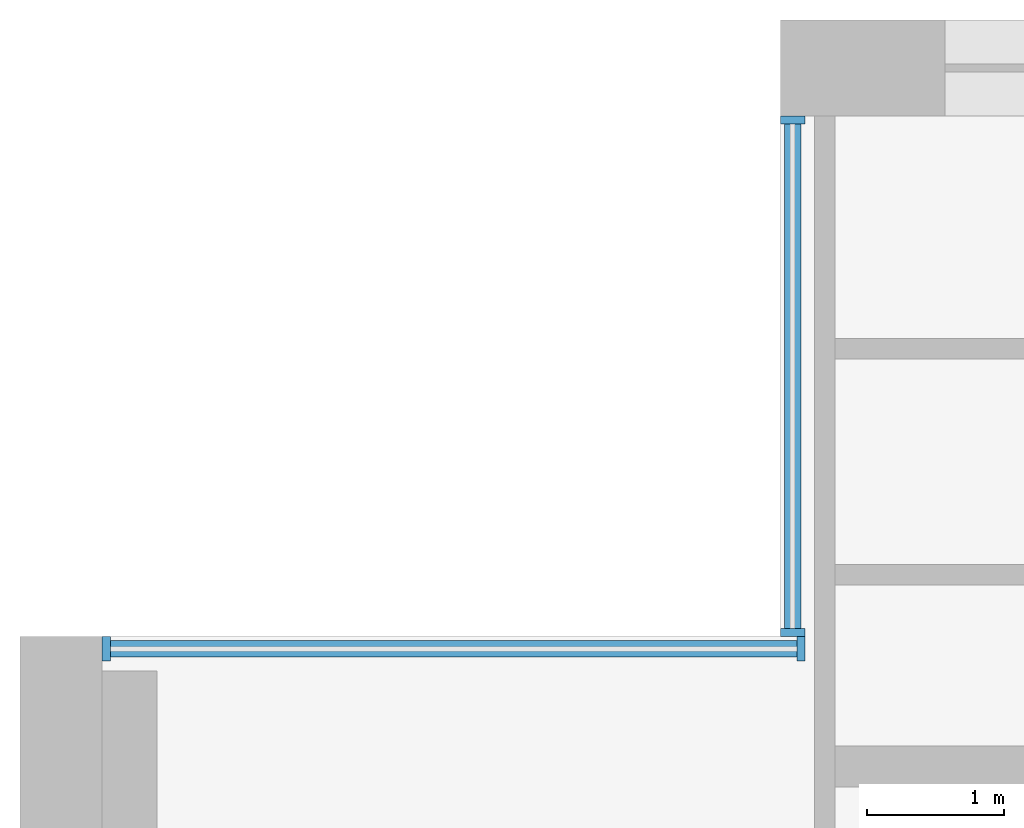
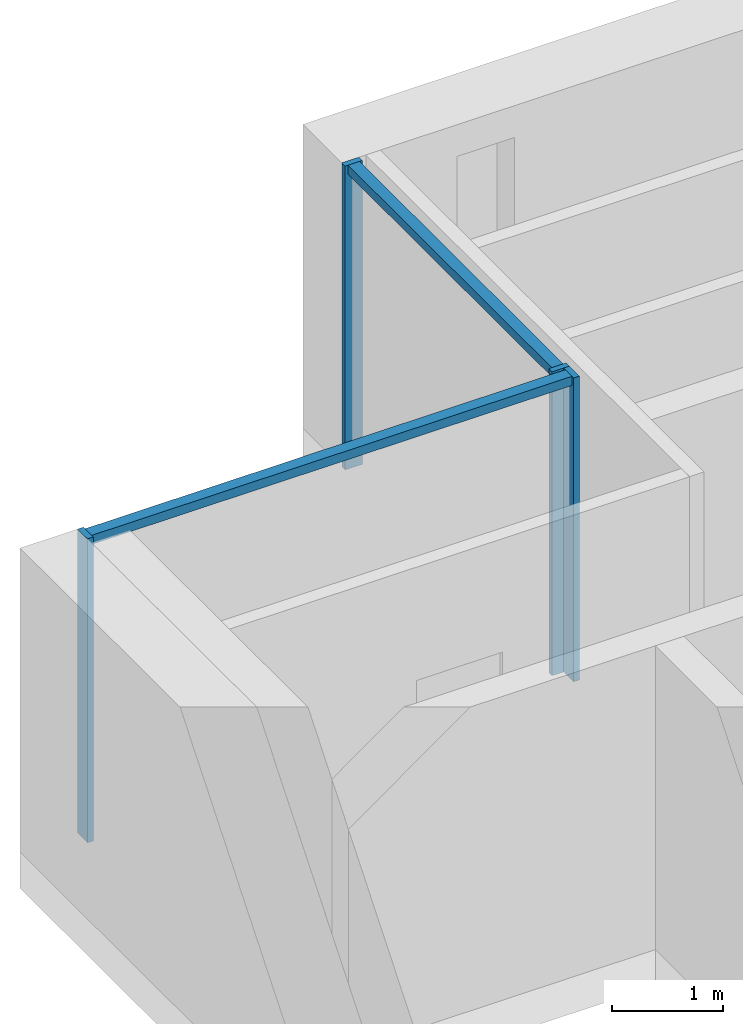
# One storey, part 4 of 16: 6 members, 2 elements without a shape of their own.
"""IFC4 building model written with IfcOpenShell, lengths in metres."""

from ifc_helpers import new_model, si_unit, direction, frame, origin, origin_2d, place, context, subcontext, project, spatial, rectangle, extrude, material, material_profile, profile_set, type_object, element, aggregate, save


model = new_model("IFC4")

# Units and contexts
model_context = context("Model", 3, precision=1e-05, world=origin(), true_north=direction((0.0, 1.0)))
body_context = subcontext(model_context, "Body", "Model", "MODEL_VIEW")
ifc_project = project(units=[si_unit("LENGTHUNIT", "METRE"), si_unit("AREAUNIT", "SQUARE_METRE"), si_unit("VOLUMEUNIT", "CUBIC_METRE"), si_unit("PLANEANGLEUNIT", "RADIAN"), si_unit("MASSUNIT", "GRAM", prefix="KILO")], contexts=[model_context])

# Site, building, storey
site_placement = place(None, origin())
site = spatial("IfcSite", under=ifc_project, at=site_placement, CompositionType="ELEMENT")
building_placement = place(site_placement, origin())
building = spatial("IfcBuilding", under=site, at=building_placement, Name="Calvaro Tower", CompositionType="ELEMENT")
storey_placement = place(building_placement, frame((0.0, 0.0, 178.0)))
storey = spatial("IfcBuildingStorey", under=building, at=storey_placement, Name="L44", CompositionType="ELEMENT", Elevation=178.0)

# Curtain wall, members
ifc_material_1 = material(Name="Anodised aluminium", Category="aluminium")
curtain_wall_type = type_object("IfcCurtainWallType", Name="Office curtain wall, upper zone", PredefinedType="NOTDEFINED", material=ifc_material_1)
curtain_wall_1_placement = place(storey_placement, origin())
curtain_wall_1 = element("IfcCurtainWall", 1, at=curtain_wall_1_placement, inside=storey, type_object=curtain_wall_type, Name="CW3 corner curtain wall", PredefinedType="NOTDEFINED")
ifc_material_2 = material(Name="Anodised aluminium", Category="aluminium")
ifc_material_profile_1 = material_profile(ifc_material_2, rectangle(XDim=0.179931640625, YDim=0.06005859375, at=origin_2d()), Name="Mullion S3 60 x 180")
ifc_profile_set_1 = profile_set([ifc_material_profile_1], Name="Anodised aluminium")
member_type_1 = type_object("IfcMemberType", Name="Mullion S3 60 x 180", PredefinedType="MULLION", material=ifc_profile_set_1)
member_1_placement = place(storey_placement, frame((11.639892578125, 41.530029296875, 0.0), z_axis=(0.0, 0.0, 1.0), x_axis=(-1.0, 0.0, 0.0)))
member_1 = element("IfcMember", 2, at=member_1_placement, type_object=member_type_1, Name="CW3 mullion 1", PredefinedType="MULLION", context=body_context, shape_type="SweptSolid", body=[
    extrude(rectangle(XDim=0.179931640625, YDim=0.06005859375, at=origin_2d()), origin(), (0.0, 0.0, 1.0), 3.35009765625),
])
member_2_placement = place(storey_placement, frame((11.639892578125, 45.27001953125, 0.0), z_axis=(0.0, 0.0, 1.0), x_axis=(-1.0, 0.0, 0.0)))
member_2 = element("IfcMember", 3, at=member_2_placement, type_object=member_type_1, Name="CW3 mullion 2", PredefinedType="MULLION", context=body_context, shape_type="SweptSolid", body=[
    extrude(rectangle(XDim=0.179931640625, YDim=0.06005859375, at=origin_2d()), origin(), (0.0, 0.0, 1.0), 3.35009765625),
])

curtain_wall_2_placement = place(storey_placement, origin())
curtain_wall_2 = element("IfcCurtainWall", 4, at=curtain_wall_2_placement, inside=storey, type_object=curtain_wall_type, Name="CW3 corner curtain wall", PredefinedType="NOTDEFINED")
member_3_placement = place(storey_placement, frame((6.6298828125, 41.409912109375, 0.0), z_axis=(0.0, 0.0, 1.0), x_axis=(0.0, 1.0, 0.0)))
member_3 = element("IfcMember", 5, at=member_3_placement, type_object=member_type_1, Name="CW3 mullion 1", PredefinedType="MULLION", context=body_context, shape_type="SweptSolid", body=[
    extrude(rectangle(XDim=0.179931640625, YDim=0.06005859375, at=origin_2d()), origin(), (0.0, 0.0, 1.0), 3.35009765625),
])
member_4_placement = place(storey_placement, frame((11.699951171875, 41.409912109375, 0.0), z_axis=(0.0, 0.0, 1.0), x_axis=(0.0, 1.0, 0.0)))
member_4 = element("IfcMember", 6, at=member_4_placement, type_object=member_type_1, Name="CW3 mullion 2", PredefinedType="MULLION", context=body_context, shape_type="SweptSolid", body=[
    extrude(rectangle(XDim=0.179931640625, YDim=0.06005859375, at=origin_2d()), origin(), (0.0, 0.0, 1.0), 3.35009765625),
])

# Member
ifc_material_3 = material(Name="Anodised aluminium", Category="aluminium")
ifc_material_profile_2 = material_profile(ifc_material_3, rectangle(XDim=0.1201171875, YDim=0.10009765625, at=origin_2d()), Name="Transom S3 100 x 120")
ifc_profile_set_2 = profile_set([ifc_material_profile_2], Name="Anodised aluminium")
member_type_2 = type_object("IfcMemberType", Name="Transom S3 100 x 120", PredefinedType="USERDEFINED", material=ifc_profile_set_2)
member_5_placement = place(storey_placement, frame((11.639892578125, 41.56005859375, 3.300048828125), z_axis=(0.0, 1.0, 0.0), x_axis=(-1.0, 0.0, 0.0)))
member_5 = element("IfcMember", 7, at=member_5_placement, type_object=member_type_2, Name="CW3 transom 1.1", ObjectType="TRANSOM", PredefinedType="USERDEFINED", context=body_context, shape_type="SweptSolid", body=[
    extrude(rectangle(XDim=0.1201171875, YDim=0.10009765625, at=origin_2d()), origin(), (0.0, 0.0, 1.0), 3.679931640625),
])

aggregate(curtain_wall_1, [member_1, member_2, member_5])

member_6_placement = place(storey_placement, frame((6.659912109375, 41.409912109375, 3.300048828125), z_axis=(1.0, 0.0, 0.0), x_axis=(0.0, 1.0, 0.0)))
member_6 = element("IfcMember", 8, at=member_6_placement, type_object=member_type_2, Name="CW3 transom 1.1", ObjectType="TRANSOM", PredefinedType="USERDEFINED", context=body_context, shape_type="SweptSolid", body=[
    extrude(rectangle(XDim=0.1201171875, YDim=0.10009765625, at=origin_2d()), origin(), (0.0, 0.0, 1.0), 5.010009765625),
])

aggregate(curtain_wall_2, [member_3, member_4, member_6])

save(model, "model.ifc")
